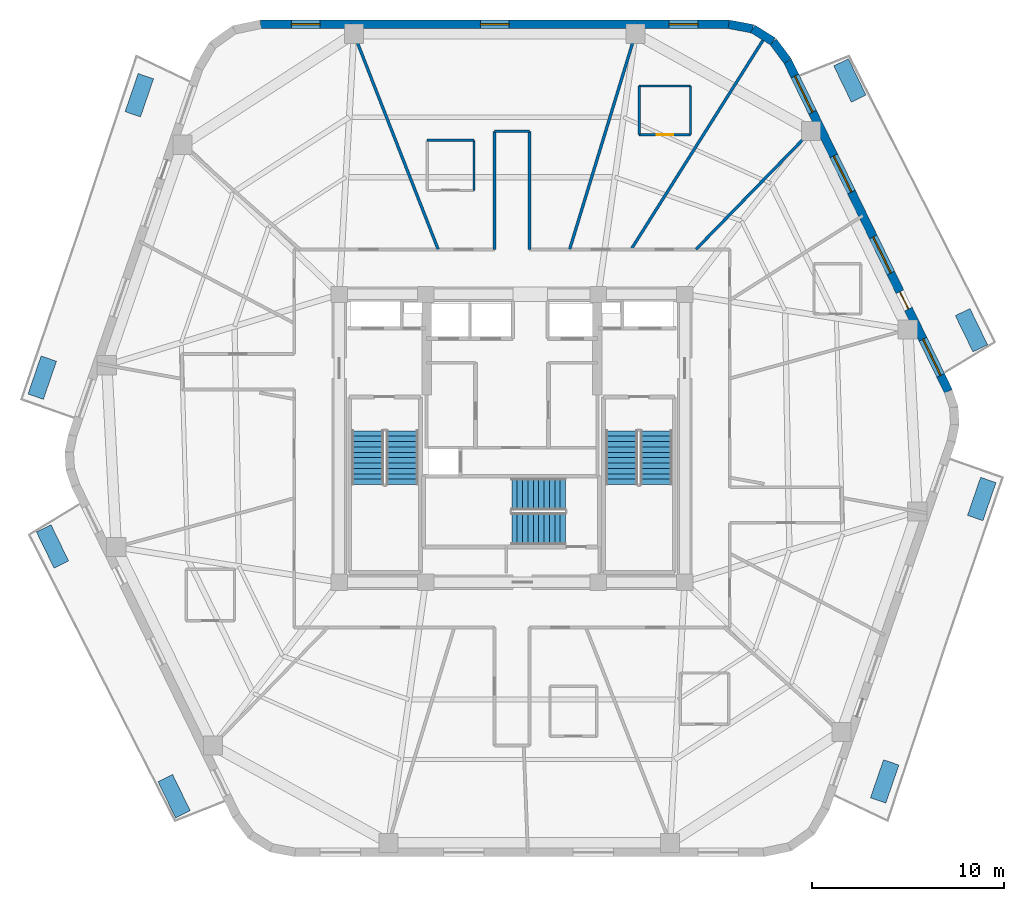
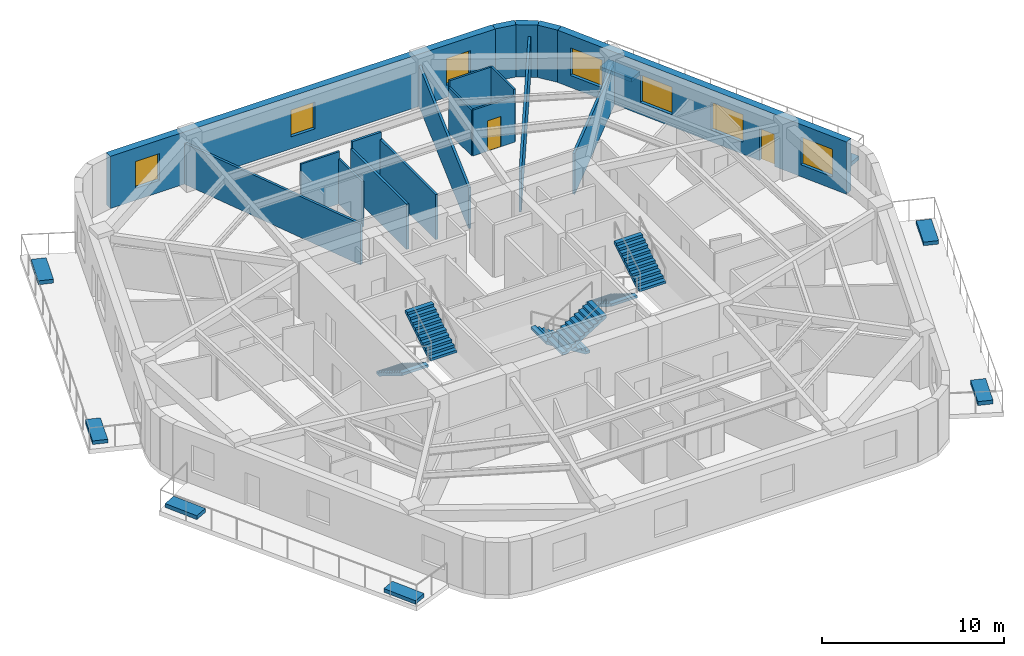
# One storey, part 6 of 9: 18 walls, 8 discrete accessories, 7 windows, 6 stair flights, 2 doors, 9 openings, 3 elements without a shape of their own.
"""IFC4 building model written with IfcOpenShell, lengths in metres."""

from ifc_helpers import new_model, si_unit, direction, frame, frame_2d, origin, origin_2d, place, context, subcontext, project, spatial, polyline, rectangle, outline, extrude, material, layer, layer_set, type_object, element, fill, aggregate, save


model = new_model("IFC4")

# Units and contexts
model_context = context("Model", 3, precision=1e-05, world=origin(), true_north=direction((0.0, 1.0)))
body_context = subcontext(model_context, "Body", "Model", "MODEL_VIEW")
ifc_project = project(units=[si_unit("LENGTHUNIT", "METRE"), si_unit("AREAUNIT", "SQUARE_METRE"), si_unit("VOLUMEUNIT", "CUBIC_METRE"), si_unit("PLANEANGLEUNIT", "RADIAN"), si_unit("MASSUNIT", "GRAM", prefix="KILO")], contexts=[model_context])

# Site, building, storey
site_placement = place(None, origin())
site = spatial("IfcSite", under=ifc_project, at=site_placement, CompositionType="ELEMENT")
building_placement = place(site_placement, origin())
building = spatial("IfcBuilding", under=site, at=building_placement, Name="Kilnhurst Terrace Hotel", CompositionType="ELEMENT")
storey_placement = place(building_placement, frame((0.0, 0.0, 240.699951171875)))
storey = spatial("IfcBuildingStorey", under=building, at=storey_placement, Name="L60", CompositionType="ELEMENT", Elevation=240.699951171875)

# Walls
ifc_material_1 = material(Name="Precast concrete C40/50", Category="concrete")
ifc_layer_1 = layer(ifc_material_1, 0.449951171875, Name="Precast concrete C40/50")
ifc_layer_set_1 = layer_set([ifc_layer_1], Name="Precast concrete C40/50")
wall_type_1 = type_object("IfcWallType", Name="WL-BRK-450", PredefinedType="SOLIDWALL", material=ifc_layer_set_1)
wall_1_placement = place(storey_placement, frame((14.3623046875, 19.658447265625, 0.0), z_axis=(0.0, 0.0, 1.0), x_axis=(-0.596642462792, 0.80250717853, 0.0)))
element("IfcWall", 1, at=wall_1_placement, inside=storey, type_object=wall_type_1, Name="L60 Rounded Corner Brick Wall C4.1", PredefinedType="SOLIDWALL", context=body_context, shape_type="SweptSolid", body=[
    extrude(rectangle(XDim=1.27001953125, YDim=0.449951171875, at=frame_2d((0.635009765625, 0.0))), origin(), (0.0, 0.0, 1.0), 3.5),
])
wall_2_placement = place(storey_placement, frame((13.6044921875, 20.677734375, 0.0), z_axis=(0.0, 0.0, 1.0), x_axis=(-0.847910404124, 0.53013955387, 0.0)))
element("IfcWall", 2, at=wall_2_placement, inside=storey, type_object=wall_type_1, Name="L60 Rounded Corner Brick Wall C4.2", PredefinedType="SOLIDWALL", context=body_context, shape_type="SweptSolid", body=[
    extrude(rectangle(XDim=1.24853515625, YDim=0.449951171875, at=frame_2d((0.624267578125, 0.0))), origin(), (0.0, 0.0, 1.0), 3.5),
])
wall_3_placement = place(storey_placement, frame((12.5458984375, 21.339599609375, 0.0), z_axis=(0.0, 0.0, 1.0), x_axis=(-0.982686750835, 0.18527479519, 0.0)))
element("IfcWall", 3, at=wall_3_placement, inside=storey, type_object=wall_type_1, Name="L60 Rounded Corner Brick Wall C4.3", PredefinedType="SOLIDWALL", context=body_context, shape_type="SweptSolid", body=[
    extrude(rectangle(XDim=1.270263671875, YDim=0.449951171875, at=frame_2d((0.63525390625, 0.0))), origin(), (0.0, 0.0, 1.0), 3.5),
])

# Wall, openings, door, windows
wall_4_placement = place(storey_placement, frame((22.73974609375, 2.4521484375, 0.0), z_axis=(0.0, 0.0, 1.0), x_axis=(-0.437753424814, 0.899095066755, 0.0)))
wall_4 = element("IfcWall", 4, at=wall_4_placement, inside=storey, type_object=wall_type_1, Name="L60 Exterior Brick Facade Wall F3", PredefinedType="SOLIDWALL", context=body_context, shape_type="SweptSolid", body=[
    extrude(rectangle(XDim=19.137451171875, YDim=0.449951171875, at=frame_2d((9.56884765625, 0.0))), origin(), (0.0, 0.0, 1.0), 3.5),
])
opening_1_placement = place(wall_4_placement, frame((4.762939453125, 0.0, 0.0)))
opening_1 = element("IfcOpeningElement", 5, at=opening_1_placement, cuts=wall_4, Name="Opening BD-1000", PredefinedType="OPENING", context=body_context, shape_type="SweptSolid", body=[
    extrude(rectangle(XDim=1.0, YDim=2.14990234375, at=frame_2d((0.5, 1.074951171875))), frame((0.0, 0.23486328125, 0.0), z_axis=(0.0, -1.0, 0.0), x_axis=(1.0, 0.0, 0.0)), (0.0, 0.0, 1.0), 0.469970703125),
])
opening_2_placement = place(wall_4_placement, frame((6.85107421875, 0.0, 0.800048828125)))
opening_2 = element("IfcOpeningElement", 6, at=opening_2_placement, cuts=wall_4, Name="Opening W-04", PredefinedType="OPENING", context=body_context, shape_type="SweptSolid", body=[
    extrude(rectangle(XDim=2.10009765625, YDim=1.85009765625, at=frame_2d((1.050048828125, 0.925048828125))), frame((0.0, 0.23486328125, 0.0), z_axis=(0.0, -1.0, 0.0), x_axis=(1.0, 0.0, 0.0)), (0.0, 0.0, 1.0), 0.469970703125),
])
opening_3_placement = place(wall_4_placement, frame((11.544921875, 0.0, 0.800048828125)))
opening_3 = element("IfcOpeningElement", 7, at=opening_3_placement, cuts=wall_4, Name="Opening W-04", PredefinedType="OPENING", context=body_context, shape_type="SweptSolid", body=[
    extrude(rectangle(XDim=2.10009765625, YDim=1.85009765625, at=frame_2d((1.050048828125, 0.925048828125))), frame((0.0, 0.23486328125, 0.0), z_axis=(0.0, -1.0, 0.0), x_axis=(1.0, 0.0, 0.0)), (0.0, 0.0, 1.0), 0.469970703125),
])
opening_4_placement = place(wall_4_placement, frame((16.173095703125, 0.0, 0.800048828125)))
opening_4 = element("IfcOpeningElement", 8, at=opening_4_placement, cuts=wall_4, Name="Opening W-04", PredefinedType="OPENING", context=body_context, shape_type="SweptSolid", body=[
    extrude(rectangle(XDim=2.10009765625, YDim=1.85009765625, at=frame_2d((1.050048828125, 0.925048828125))), frame((0.0, 0.23486328125, 0.0), z_axis=(0.0, -1.0, 0.0), x_axis=(1.0, 0.0, 0.0)), (0.0, 0.0, 1.0), 0.469970703125),
])
opening_5_placement = place(wall_4_placement, frame((0.916015625, 0.0, 0.800048828125)))
opening_5 = element("IfcOpeningElement", 9, at=opening_5_placement, cuts=wall_4, Name="Opening W-04", PredefinedType="OPENING", context=body_context, shape_type="SweptSolid", body=[
    extrude(rectangle(XDim=2.10009765625, YDim=1.85009765625, at=frame_2d((1.050048828125, 0.925048828125))), frame((0.0, 0.23486328125, 0.0), z_axis=(0.0, -1.0, 0.0), x_axis=(1.0, 0.0, 0.0)), (0.0, 0.0, 1.0), 0.469970703125),
])
ifc_material_2 = material(Name="Thermally Broken Bronze Aluminium Alloy 6063-T6 and Laminated Glass", Category="aluminium")
door_type_1 = type_object("IfcDoorType", Name="DR-EXT-BAL-1000", OperationType="NOTDEFINED", PredefinedType="DOOR", material=ifc_material_2)
door_1_placement = place(opening_1_placement, origin())
door_1 = element("IfcDoor", 10, at=door_1_placement, inside=storey, type_object=door_type_1, Name="L60 Planted Balcony Door BAL-L1B", OperationType="SINGLE_SWING_LEFT", OverallHeight=2.14990234375, OverallWidth=1.0, PredefinedType="DOOR", context=body_context, shape_type="SweptSolid", body=[
    extrude(rectangle(XDim=1.0, YDim=2.14990234375, at=frame_2d((0.5, 1.074951171875))), frame((0.0, 0.02490234375, 0.0), z_axis=(0.0, -1.0, 0.0), x_axis=(1.0, 0.0, 0.0)), (0.0, 0.0, 1.0), 0.050048828125),
])
fill(opening_1, door_1)
ifc_material_3 = material(Name="Thermally Broken Bronze Aluminium Alloy 6063-T6 and Low-E Glass", Category="aluminium")
window_type_1 = type_object("IfcWindowType", Name="WIN-2100X1850", PartitioningType="SINGLE_PANEL", PredefinedType="WINDOW", material=ifc_material_3)
window_1_placement = place(opening_2_placement, origin())
window_1 = element("IfcWindow", 11, at=window_1_placement, inside=storey, type_object=window_type_1, Name="L60 Deep-Set Masonry Window F3.1", OverallHeight=1.85009765625, OverallWidth=2.10009765625, PartitioningType="SINGLE_PANEL", PredefinedType="WINDOW", context=body_context, shape_type="SweptSolid", body=[
    extrude(rectangle(XDim=2.10009765625, YDim=1.85009765625, at=frame_2d((1.050048828125, 0.925048828125))), frame((0.0, 0.030029296875, 0.0), z_axis=(0.0, -1.0, 0.0), x_axis=(1.0, 0.0, 0.0)), (0.0, 0.0, 1.0), 0.06005859375),
])
fill(opening_2, window_1)
window_2_placement = place(opening_3_placement, origin())
window_2 = element("IfcWindow", 12, at=window_2_placement, inside=storey, type_object=window_type_1, Name="L60 Deep-Set Masonry Window F3.2", OverallHeight=1.85009765625, OverallWidth=2.10009765625, PartitioningType="SINGLE_PANEL", PredefinedType="WINDOW", context=body_context, shape_type="SweptSolid", body=[
    extrude(rectangle(XDim=2.10009765625, YDim=1.85009765625, at=frame_2d((1.050048828125, 0.925048828125))), frame((0.0, 0.030029296875, 0.0), z_axis=(0.0, -1.0, 0.0), x_axis=(1.0, 0.0, 0.0)), (0.0, 0.0, 1.0), 0.06005859375),
])
fill(opening_3, window_2)
window_3_placement = place(opening_4_placement, origin())
window_3 = element("IfcWindow", 13, at=window_3_placement, inside=storey, type_object=window_type_1, Name="L60 Deep-Set Masonry Window F3.3", OverallHeight=1.85009765625, OverallWidth=2.10009765625, PartitioningType="SINGLE_PANEL", PredefinedType="WINDOW", context=body_context, shape_type="SweptSolid", body=[
    extrude(rectangle(XDim=2.10009765625, YDim=1.85009765625, at=frame_2d((1.050048828125, 0.925048828125))), frame((0.0, 0.030029296875, 0.0), z_axis=(0.0, -1.0, 0.0), x_axis=(1.0, 0.0, 0.0)), (0.0, 0.0, 1.0), 0.06005859375),
])
fill(opening_4, window_3)
window_4_placement = place(opening_5_placement, origin())
window_4 = element("IfcWindow", 14, at=window_4_placement, inside=storey, type_object=window_type_1, Name="L60 Deep-Set Masonry Window F3.4", OverallHeight=1.85009765625, OverallWidth=2.10009765625, PartitioningType="SINGLE_PANEL", PredefinedType="WINDOW", context=body_context, shape_type="SweptSolid", body=[
    extrude(rectangle(XDim=2.10009765625, YDim=1.85009765625, at=frame_2d((1.050048828125, 0.925048828125))), frame((0.0, 0.030029296875, 0.0), z_axis=(0.0, -1.0, 0.0), x_axis=(1.0, 0.0, 0.0)), (0.0, 0.0, 1.0), 0.06005859375),
])
fill(opening_5, window_4)

# Wall, openings, windows
wall_5_placement = place(storey_placement, frame((11.297607421875, 21.574951171875, 0.0), z_axis=(0.0, 0.0, 1.0), x_axis=(-1.0, 0.0, 0.0)))
wall_5 = element("IfcWall", 15, at=wall_5_placement, inside=storey, type_object=wall_type_1, Name="L60 Exterior Brick Facade Wall F4", PredefinedType="SOLIDWALL", context=body_context, shape_type="SweptSolid", body=[
    extrude(rectangle(XDim=24.399169921875, YDim=0.449951171875, at=frame_2d((12.19970703125, 0.0))), origin(), (0.0, 0.0, 1.0), 3.5),
])
opening_6_placement = place(wall_5_placement, frame((1.60400390625, 0.0, 0.800048828125)))
opening_6 = element("IfcOpeningElement", 16, at=opening_6_placement, cuts=wall_5, Name="Opening W-02", PredefinedType="OPENING", context=body_context, shape_type="SweptSolid", body=[
    extrude(rectangle(XDim=1.5, YDim=1.800048828125, at=frame_2d((0.75, 0.89990234375))), frame((0.0, 0.23486328125, 0.0), z_axis=(0.0, -1.0, 0.0), x_axis=(1.0, 0.0, 0.0)), (0.0, 0.0, 1.0), 0.469970703125),
])
opening_7_placement = place(wall_5_placement, frame((11.450927734375, 0.0, 0.800048828125)))
opening_7 = element("IfcOpeningElement", 17, at=opening_7_placement, cuts=wall_5, Name="Opening W-02", PredefinedType="OPENING", context=body_context, shape_type="SweptSolid", body=[
    extrude(rectangle(XDim=1.5, YDim=1.800048828125, at=frame_2d((0.75, 0.89990234375))), frame((0.0, 0.23486328125, 0.0), z_axis=(0.0, -1.0, 0.0), x_axis=(1.0, 0.0, 0.0)), (0.0, 0.0, 1.0), 0.469970703125),
])
opening_8_placement = place(wall_5_placement, frame((21.2958984375, 0.0, 0.800048828125)))
opening_8 = element("IfcOpeningElement", 18, at=opening_8_placement, cuts=wall_5, Name="Opening W-02", PredefinedType="OPENING", context=body_context, shape_type="SweptSolid", body=[
    extrude(rectangle(XDim=1.5, YDim=1.800048828125, at=frame_2d((0.75, 0.89990234375))), frame((0.0, 0.23486328125, 0.0), z_axis=(0.0, -1.0, 0.0), x_axis=(1.0, 0.0, 0.0)), (0.0, 0.0, 1.0), 0.469970703125),
])
window_type_2 = type_object("IfcWindowType", Name="WIN-1500X1800", PartitioningType="SINGLE_PANEL", PredefinedType="WINDOW", material=ifc_material_3)
window_5_placement = place(opening_6_placement, origin())
window_5 = element("IfcWindow", 19, at=window_5_placement, inside=storey, type_object=window_type_2, Name="L60 Deep-Set Masonry Window F4.1", OverallHeight=1.800048828125, OverallWidth=1.5, PartitioningType="SINGLE_PANEL", PredefinedType="WINDOW", context=body_context, shape_type="SweptSolid", body=[
    extrude(rectangle(XDim=1.5, YDim=1.800048828125, at=frame_2d((0.75, 0.89990234375))), frame((0.0, 0.030029296875, 0.0), z_axis=(0.0, -1.0, 0.0), x_axis=(1.0, 0.0, 0.0)), (0.0, 0.0, 1.0), 0.06005859375),
])
fill(opening_6, window_5)
window_6_placement = place(opening_7_placement, origin())
window_6 = element("IfcWindow", 20, at=window_6_placement, inside=storey, type_object=window_type_2, Name="L60 Deep-Set Masonry Window F4.2", OverallHeight=1.800048828125, OverallWidth=1.5, PartitioningType="SINGLE_PANEL", PredefinedType="WINDOW", context=body_context, shape_type="SweptSolid", body=[
    extrude(rectangle(XDim=1.5, YDim=1.800048828125, at=frame_2d((0.75, 0.89990234375))), frame((0.0, 0.030029296875, 0.0), z_axis=(0.0, -1.0, 0.0), x_axis=(1.0, 0.0, 0.0)), (0.0, 0.0, 1.0), 0.06005859375),
])
fill(opening_7, window_6)
window_7_placement = place(opening_8_placement, origin())
window_7 = element("IfcWindow", 21, at=window_7_placement, inside=storey, type_object=window_type_2, Name="L60 Deep-Set Masonry Window F4.3", OverallHeight=1.800048828125, OverallWidth=1.5, PartitioningType="SINGLE_PANEL", PredefinedType="WINDOW", context=body_context, shape_type="SweptSolid", body=[
    extrude(rectangle(XDim=1.5, YDim=1.800048828125, at=frame_2d((0.75, 0.89990234375))), frame((0.0, 0.030029296875, 0.0), z_axis=(0.0, -1.0, 0.0), x_axis=(1.0, 0.0, 0.0)), (0.0, 0.0, 1.0), 0.06005859375),
])
fill(opening_8, window_7)

# Walls
ifc_material_4 = material(Name="Acoustic Double-Gypsum Corridor Partition Assembly")
ifc_layer_2 = layer(ifc_material_4, 0.14990234375, Name="Acoustic Double-Gypsum Corridor Partition Assembly")
ifc_layer_set_2 = layer_set([ifc_layer_2], Name="Acoustic Double-Gypsum Corridor Partition Assembly")
wall_type_2 = type_object("IfcWallType", Name="WL-COR-150", PredefinedType="PARTITIONING", material=ifc_layer_set_2)
wall_6_placement = place(storey_placement, frame((-0.919921875, 9.85009765625, 0.0), z_axis=(0.0, 0.0, 1.0), x_axis=(0.0, 1.0, 0.0)))
element("IfcWall", 22, at=wall_6_placement, inside=storey, type_object=wall_type_2, Name="L60 Interior Wall WL-L60-COR-07", PredefinedType="PARTITIONING", context=body_context, shape_type="SweptSolid", body=[
    extrude(rectangle(XDim=6.14990234375, YDim=0.14990234375, at=frame_2d((3.074951171875, 0.0))), origin(), (0.0, 0.0, 1.0), 3.026611328125),
])
wall_7_placement = place(storey_placement, frame((-0.919921875, 16.0, 0.0), z_axis=(0.0, 0.0, 1.0), x_axis=(1.0, 0.0, 0.0)))
element("IfcWall", 23, at=wall_7_placement, inside=storey, type_object=wall_type_2, Name="L60 Interior Wall WL-L60-COR-08", PredefinedType="PARTITIONING", context=body_context, shape_type="SweptSolid", body=[
    extrude(rectangle(XDim=1.83984375, YDim=0.14990234375, at=frame_2d((0.919921875, 0.0))), origin(), (0.0, 0.0, 1.0), 3.5),
])
wall_8_placement = place(storey_placement, frame((0.919921875, 16.0, 0.0), z_axis=(0.0, 0.0, 1.0), x_axis=(0.0, -1.0, 0.0)))
element("IfcWall", 24, at=wall_8_placement, inside=storey, type_object=wall_type_2, Name="L60 Interior Wall WL-L60-COR-09", PredefinedType="PARTITIONING", context=body_context, shape_type="SweptSolid", body=[
    extrude(rectangle(XDim=6.14990234375, YDim=0.14990234375, at=frame_2d((3.074951171875, 0.0))), origin(), (0.0, 0.0, 1.0), 3.026611328125),
])
ifc_material_5 = material(Name="STC-58 Acoustic Twin-Frame Guestroom Demising Partition")
ifc_layer_3 = layer(ifc_material_5, 0.14990234375, Name="STC-58 Acoustic Twin-Frame Guestroom Demising Partition")
ifc_layer_set_3 = layer_set([ifc_layer_3], Name="STC-58 Acoustic Twin-Frame Guestroom Demising Partition")
wall_type_3 = type_object("IfcWallType", Name="WL-DEM-150", PredefinedType="PARTITIONING", material=ifc_layer_set_3)
wall_9_placement = place(storey_placement, frame((9.587890625, 9.85009765625, 0.0), z_axis=(0.0, 0.0, 1.0), x_axis=(0.697519469595, 0.716565830567, 0.0)))
element("IfcWall", 25, at=wall_9_placement, inside=storey, type_object=wall_type_3, Name="L60 Interior Wall WL-L60-DEM-COL02-03-1", PredefinedType="PARTITIONING", context=body_context, shape_type="SweptSolid", body=[
    extrude(rectangle(XDim=9.12646484375, YDim=0.14990234375, at=frame_2d((4.563232421875, 0.0))), origin(), (0.0, 0.0, 1.0), 2.739990234375),
])
wall_10_placement = place(storey_placement, frame((6.21044921875, 9.85009765625, 0.0), z_axis=(0.0, 0.0, 1.0), x_axis=(0.533335553786, 0.84590376939, 0.0)))
element("IfcWall", 26, at=wall_10_placement, inside=storey, type_object=wall_type_3, Name="L60 Interior Wall WL-L60-DEM-MID02-04-1", PredefinedType="PARTITIONING", context=body_context, shape_type="SweptSolid", body=[
    extrude(rectangle(XDim=12.94091796875, YDim=0.14990234375, at=frame_2d((6.470458984375, 0.0))), origin(), (0.0, 0.0, 1.0), 2.739990234375),
])
wall_11_placement = place(storey_placement, frame((3.00439453125, 9.85009765625, 0.0), z_axis=(0.0, 0.0, 1.0), x_axis=(0.291775760688, 0.956486751333, 0.0)))
element("IfcWall", 27, at=wall_11_placement, inside=storey, type_object=wall_type_3, Name="L60 Interior Wall WL-L60-DEM-COL03-05-1", PredefinedType="PARTITIONING", context=body_context, shape_type="SweptSolid", body=[
    extrude(rectangle(XDim=12.25830078125, YDim=0.14990234375, at=frame_2d((6.129150390625, 0.0))), origin(), (0.0, 0.0, 1.0), 2.739990234375),
])
wall_12_placement = place(storey_placement, frame((-3.848388671875, 9.85009765625, 0.0), z_axis=(0.0, 0.0, 1.0), x_axis=(-0.363921778212, 0.931429513889, 0.0)))
element("IfcWall", 28, at=wall_12_placement, inside=storey, type_object=wall_type_3, Name="L60 Interior Wall WL-L60-DEM-COL04-06-1", PredefinedType="PARTITIONING", context=body_context, shape_type="SweptSolid", body=[
    extrude(rectangle(XDim=12.588134765625, YDim=0.14990234375, at=frame_2d((6.2939453125, 0.0))), origin(), (0.0, 0.0, 1.0), 2.739990234375),
])

# Wall, opening, door
ifc_material_6 = material(Name="120 mm Moisture-Resistant Tile-Backed Bathroom Partition")
ifc_layer_4 = layer(ifc_material_6, 0.1201171875, Name="120 mm Moisture-Resistant Tile-Backed Bathroom Partition")
ifc_layer_set_4 = layer_set([ifc_layer_4], Name="120 mm Moisture-Resistant Tile-Backed Bathroom Partition")
wall_type_4 = type_object("IfcWallType", Name="WL-PART-120", PredefinedType="PARTITIONING", material=ifc_layer_set_4)
wall_13_placement = place(storey_placement, frame((6.626953125, 15.824951171875, 0.0), z_axis=(0.0, 0.0, 1.0), x_axis=(1.0, 0.0, 0.0)))
wall_13 = element("IfcWall", 29, at=wall_13_placement, inside=storey, type_object=wall_type_4, Name="L60 Interior Wall WL-L60-BTH-04-1", PredefinedType="PARTITIONING", context=body_context, shape_type="SweptSolid", body=[
    extrude(rectangle(XDim=2.679931640625, YDim=0.1201171875, at=frame_2d((1.33984375, 0.0))), origin(), (0.0, 0.0, 1.0), 3.072509765625),
])
opening_9_placement = place(wall_13_placement, frame((0.9150390625, 0.0, 0.0)))
opening_9 = element("IfcOpeningElement", 30, at=opening_9_placement, cuts=wall_13, Name="Opening D-08A", PredefinedType="OPENING", context=body_context, shape_type="SweptSolid", body=[
    extrude(rectangle(XDim=0.85009765625, YDim=2.030029296875, at=frame_2d((0.425048828125, 1.01513671875))), frame((0.0, 0.070068359375, 0.0), z_axis=(0.0, -1.0, 0.0), x_axis=(1.0, 0.0, 0.0)), (0.0, 0.0, 1.0), 0.14013671875),
])
ifc_material_7 = material(Name="Moisture-Resistant Lacquered En-suite Bathroom Door")
door_type_2 = type_object("IfcDoorType", Name="DR-INT-850", OperationType="NOTDEFINED", PredefinedType="DOOR", material=ifc_material_7)
door_2_placement = place(opening_9_placement, origin())
door_2 = element("IfcDoor", 31, at=door_2_placement, inside=storey, type_object=door_type_2, Name="L60 En-suite Bathroom Door 4", OperationType="SINGLE_SWING_LEFT", OverallHeight=2.030029296875, OverallWidth=0.85009765625, PredefinedType="DOOR", context=body_context, shape_type="SweptSolid", body=[
    extrude(rectangle(XDim=0.85009765625, YDim=2.030029296875, at=frame_2d((0.425048828125, 1.01513671875))), frame((0.0, 0.02490234375, 0.0), z_axis=(0.0, -1.0, 0.0), x_axis=(1.0, 0.0, 0.0)), (0.0, 0.0, 1.0), 0.050048828125),
])
fill(opening_9, door_2)

# Walls
wall_14_placement = place(storey_placement, frame((9.306884765625, 15.824951171875, 0.0), z_axis=(0.0, 0.0, 1.0), x_axis=(0.0, 1.0, 0.0)))
element("IfcWall", 32, at=wall_14_placement, inside=storey, type_object=wall_type_4, Name="L60 Interior Wall WL-L60-BTH-04-2", PredefinedType="PARTITIONING", context=body_context, shape_type="SweptSolid", body=[
    extrude(rectangle(XDim=2.5400390625, YDim=0.1201171875, at=frame_2d((1.27001953125, 0.0))), origin(), (0.0, 0.0, 1.0), 3.5),
])
wall_15_placement = place(storey_placement, frame((9.306884765625, 18.364990234375, 0.0), z_axis=(0.0, 0.0, 1.0), x_axis=(-1.0, 0.0, 0.0)))
element("IfcWall", 33, at=wall_15_placement, inside=storey, type_object=wall_type_4, Name="L60 Interior Wall WL-L60-BTH-04-3", PredefinedType="PARTITIONING", context=body_context, shape_type="SweptSolid", body=[
    extrude(rectangle(XDim=2.679931640625, YDim=0.1201171875, at=frame_2d((1.33984375, 0.0))), origin(), (0.0, 0.0, 1.0), 3.5),
])
wall_16_placement = place(storey_placement, frame((6.626953125, 18.364990234375, 0.0), z_axis=(0.0, 0.0, 1.0), x_axis=(0.0, -1.0, 0.0)))
element("IfcWall", 34, at=wall_16_placement, inside=storey, type_object=wall_type_4, Name="L60 Interior Wall WL-L60-BTH-04-4", PredefinedType="PARTITIONING", context=body_context, shape_type="SweptSolid", body=[
    extrude(rectangle(XDim=2.5400390625, YDim=0.1201171875, at=frame_2d((1.27001953125, 0.0))), origin(), (0.0, 0.0, 1.0), 3.072509765625),
])
wall_17_placement = place(storey_placement, frame((-1.97802734375, 12.919921875, 0.0), z_axis=(0.0, 0.0, 1.0), x_axis=(0.0, 1.0, 0.0)))
element("IfcWall", 35, at=wall_17_placement, inside=storey, type_object=wall_type_4, Name="L60 Interior Wall WL-L60-BTH-05-2", PredefinedType="PARTITIONING", context=body_context, shape_type="SweptSolid", body=[
    extrude(rectangle(XDim=2.610107421875, YDim=0.1201171875, at=frame_2d((1.30517578125, 0.0))), origin(), (0.0, 0.0, 1.0), 3.026611328125),
])
wall_18_placement = place(storey_placement, frame((-1.97802734375, 15.530029296875, 0.0), z_axis=(0.0, 0.0, 1.0), x_axis=(-1.0, 0.0, 0.0)))
element("IfcWall", 36, at=wall_18_placement, inside=storey, type_object=wall_type_4, Name="L60 Interior Wall WL-L60-BTH-05-3", PredefinedType="PARTITIONING", context=body_context, shape_type="SweptSolid", body=[
    extrude(rectangle(XDim=2.43994140625, YDim=0.1201171875, at=frame_2d((1.219970703125, 0.0))), origin(), (0.0, 0.0, 1.0), 3.5),
])

# Stair, stair flights
ifc_material_8 = material(Name="Concrete C50/60", Category="concrete")
stair_type = type_object("IfcStairType", Name="STR-CORE-1660", PredefinedType="HALF_TURN_STAIR", material=ifc_material_8)
stair_1_placement = place(storey_placement, origin())
stair_1 = element("IfcStair", 37, at=stair_1_placement, inside=storey, type_object=stair_type, Name="L60 ST-1", PredefinedType="HALF_TURN_STAIR")
stair_flight_type = type_object("IfcStairFlightType", Name="FLT-RC-1660", PredefinedType="STRAIGHT", material=ifc_material_8)
stair_flight_1_placement = place(storey_placement, frame((-7.52001953125, 0.389892578125, 0.0), z_axis=(0.0, 0.0, 1.0), x_axis=(0.0, -1.0, 0.0)))
stair_flight_1 = element("IfcStairFlight", 38, at=stair_flight_1_placement, type_object=stair_flight_type, Name="ST-1 flight 1", NumberOfRisers=11, NumberOfTreads=10, PredefinedType="STRAIGHT", RiserHeight=0.172727273, TreadLength=0.28, context=body_context, shape_type="SweptSolid", body=[
    extrude(outline(polyline([(0.0, 0.0), (0.0, 0.172607421875), (0.280029296875, 0.172607421875), (0.280029296875, 0.345458984375), (0.56005859375, 0.345458984375), (0.56005859375, 0.51806640625), (0.840087890625, 0.51806640625), (0.840087890625, 0.69091796875), (1.1201171875, 0.69091796875), (1.1201171875, 0.863525390625), (1.39990234375, 0.863525390625), (1.39990234375, 1.036376953125), (1.679931640625, 1.036376953125), (1.679931640625, 1.208984375), (1.9599609375, 1.208984375), (1.9599609375, 1.3818359375), (2.239990234375, 1.3818359375), (2.239990234375, 1.554443359375), (2.52001953125, 1.554443359375), (2.52001953125, 1.727294921875), (2.800048828125, 1.727294921875), (2.800048828125, 1.89990234375), (2.800048828125, 1.551025390625), (0.285400390625, 0.0), (0.0, 0.0)])), frame((0.0, 0.830078125, 0.0), z_axis=(0.0, -1.0, 0.0), x_axis=(1.0, 0.0, 0.0)), (0.0, 0.0, 1.0), 1.659912109375),
])
stair_flight_2_placement = place(storey_placement, frame((-5.7099609375, -2.409912109375, 1.900146484375), z_axis=(0.0, 0.0, 1.0), x_axis=(0.0, 1.0, 0.0)))
stair_flight_2 = element("IfcStairFlight", 39, at=stair_flight_2_placement, type_object=stair_flight_type, Name="ST-1 flight 2", NumberOfRisers=11, NumberOfTreads=10, PredefinedType="STRAIGHT", RiserHeight=0.172727273, TreadLength=0.28, context=body_context, shape_type="SweptSolid", body=[
    extrude(outline(polyline([(0.0, 0.0), (0.0, 0.172607421875), (0.280029296875, 0.172607421875), (0.280029296875, 0.345458984375), (0.56005859375, 0.345458984375), (0.56005859375, 0.51806640625), (0.840087890625, 0.51806640625), (0.840087890625, 0.69091796875), (1.1201171875, 0.69091796875), (1.1201171875, 0.863525390625), (1.39990234375, 0.863525390625), (1.39990234375, 1.036376953125), (1.679931640625, 1.036376953125), (1.679931640625, 1.208984375), (1.9599609375, 1.208984375), (1.9599609375, 1.3818359375), (2.239990234375, 1.3818359375), (2.239990234375, 1.554443359375), (2.52001953125, 1.554443359375), (2.52001953125, 1.727294921875), (2.800048828125, 1.727294921875), (2.800048828125, 1.89990234375), (2.800048828125, 1.551025390625), (0.285400390625, 0.0), (0.0, 0.0)])), frame((0.0, 0.830078125, 0.0), z_axis=(0.0, -1.0, 0.0), x_axis=(1.0, 0.0, 0.0)), (0.0, 0.0, 1.0), 1.659912109375),
])
aggregate(stair_1, [stair_flight_1, stair_flight_2])

stair_2_placement = place(storey_placement, origin())
stair_2 = element("IfcStair", 40, at=stair_2_placement, inside=storey, type_object=stair_type, Name="L60 ST-2", PredefinedType="HALF_TURN_STAIR")
stair_flight_3_placement = place(storey_placement, frame((5.7099609375, 0.389892578125, 0.0), z_axis=(0.0, 0.0, 1.0), x_axis=(0.0, -1.0, 0.0)))
stair_flight_3 = element("IfcStairFlight", 41, at=stair_flight_3_placement, type_object=stair_flight_type, Name="ST-2 flight 1", NumberOfRisers=11, NumberOfTreads=10, PredefinedType="STRAIGHT", RiserHeight=0.172727273, TreadLength=0.28, context=body_context, shape_type="SweptSolid", body=[
    extrude(outline(polyline([(0.0, 0.0), (0.0, 0.172607421875), (0.280029296875, 0.172607421875), (0.280029296875, 0.345458984375), (0.56005859375, 0.345458984375), (0.56005859375, 0.51806640625), (0.840087890625, 0.51806640625), (0.840087890625, 0.69091796875), (1.1201171875, 0.69091796875), (1.1201171875, 0.863525390625), (1.39990234375, 0.863525390625), (1.39990234375, 1.036376953125), (1.679931640625, 1.036376953125), (1.679931640625, 1.208984375), (1.9599609375, 1.208984375), (1.9599609375, 1.3818359375), (2.239990234375, 1.3818359375), (2.239990234375, 1.554443359375), (2.52001953125, 1.554443359375), (2.52001953125, 1.727294921875), (2.800048828125, 1.727294921875), (2.800048828125, 1.89990234375), (2.800048828125, 1.551025390625), (0.285400390625, 0.0), (0.0, 0.0)])), frame((0.0, 0.830078125, 0.0), z_axis=(0.0, -1.0, 0.0), x_axis=(1.0, 0.0, 0.0)), (0.0, 0.0, 1.0), 1.659912109375),
])
stair_flight_4_placement = place(storey_placement, frame((7.52001953125, -2.409912109375, 1.900146484375), z_axis=(0.0, 0.0, 1.0), x_axis=(0.0, 1.0, 0.0)))
stair_flight_4 = element("IfcStairFlight", 42, at=stair_flight_4_placement, type_object=stair_flight_type, Name="ST-2 flight 2", NumberOfRisers=11, NumberOfTreads=10, PredefinedType="STRAIGHT", RiserHeight=0.172727273, TreadLength=0.28, context=body_context, shape_type="SweptSolid", body=[
    extrude(outline(polyline([(0.0, 0.0), (0.0, 0.172607421875), (0.280029296875, 0.172607421875), (0.280029296875, 0.345458984375), (0.56005859375, 0.345458984375), (0.56005859375, 0.51806640625), (0.840087890625, 0.51806640625), (0.840087890625, 0.69091796875), (1.1201171875, 0.69091796875), (1.1201171875, 0.863525390625), (1.39990234375, 0.863525390625), (1.39990234375, 1.036376953125), (1.679931640625, 1.036376953125), (1.679931640625, 1.208984375), (1.9599609375, 1.208984375), (1.9599609375, 1.3818359375), (2.239990234375, 1.3818359375), (2.239990234375, 1.554443359375), (2.52001953125, 1.554443359375), (2.52001953125, 1.727294921875), (2.800048828125, 1.727294921875), (2.800048828125, 1.89990234375), (2.800048828125, 1.551025390625), (0.285400390625, 0.0), (0.0, 0.0)])), frame((0.0, 0.830078125, 0.0), z_axis=(0.0, -1.0, 0.0), x_axis=(1.0, 0.0, 0.0)), (0.0, 0.0, 1.0), 1.659912109375),
])
aggregate(stair_2, [stair_flight_3, stair_flight_4])

stair_3_placement = place(storey_placement, origin())
stair_3 = element("IfcStair", 43, at=stair_3_placement, inside=storey, type_object=stair_type, Name="L60 ST-3", PredefinedType="HALF_TURN_STAIR")
stair_flight_5_placement = place(storey_placement, frame((2.7900390625, -2.909912109375, 0.0), z_axis=(0.0, 0.0, 1.0), x_axis=(-1.0, 0.0, 0.0)))
stair_flight_5 = element("IfcStairFlight", 44, at=stair_flight_5_placement, type_object=stair_flight_type, Name="ST-3 flight 1", NumberOfRisers=11, NumberOfTreads=10, PredefinedType="STRAIGHT", RiserHeight=0.172727273, TreadLength=0.28, context=body_context, shape_type="SweptSolid", body=[
    extrude(outline(polyline([(0.0, 0.0), (0.0, 0.172607421875), (0.280029296875, 0.172607421875), (0.280029296875, 0.345458984375), (0.56005859375, 0.345458984375), (0.56005859375, 0.51806640625), (0.840087890625, 0.51806640625), (0.840087890625, 0.69091796875), (1.1201171875, 0.69091796875), (1.1201171875, 0.863525390625), (1.39990234375, 0.863525390625), (1.39990234375, 1.036376953125), (1.679931640625, 1.036376953125), (1.679931640625, 1.208984375), (1.9599609375, 1.208984375), (1.9599609375, 1.3818359375), (2.239990234375, 1.3818359375), (2.239990234375, 1.554443359375), (2.52001953125, 1.554443359375), (2.52001953125, 1.727294921875), (2.800048828125, 1.727294921875), (2.800048828125, 1.89990234375), (2.800048828125, 1.551025390625), (0.285400390625, 0.0), (0.0, 0.0)])), frame((0.0, 0.830078125, 0.0), z_axis=(0.0, -1.0, 0.0), x_axis=(1.0, 0.0, 0.0)), (0.0, 0.0, 1.0), 1.659912109375),
])
stair_flight_6_placement = place(storey_placement, frame((-0.010009765625, -4.719970703125, 1.900146484375), z_axis=(0.0, 0.0, 1.0), x_axis=(1.0, 0.0, 0.0)))
stair_flight_6 = element("IfcStairFlight", 45, at=stair_flight_6_placement, type_object=stair_flight_type, Name="ST-3 flight 2", NumberOfRisers=11, NumberOfTreads=10, PredefinedType="STRAIGHT", RiserHeight=0.172727273, TreadLength=0.28, context=body_context, shape_type="SweptSolid", body=[
    extrude(outline(polyline([(0.0, 0.0), (0.0, 0.172607421875), (0.280029296875, 0.172607421875), (0.280029296875, 0.345458984375), (0.56005859375, 0.345458984375), (0.56005859375, 0.51806640625), (0.840087890625, 0.51806640625), (0.840087890625, 0.69091796875), (1.1201171875, 0.69091796875), (1.1201171875, 0.863525390625), (1.39990234375, 0.863525390625), (1.39990234375, 1.036376953125), (1.679931640625, 1.036376953125), (1.679931640625, 1.208984375), (1.9599609375, 1.208984375), (1.9599609375, 1.3818359375), (2.239990234375, 1.3818359375), (2.239990234375, 1.554443359375), (2.52001953125, 1.554443359375), (2.52001953125, 1.727294921875), (2.800048828125, 1.727294921875), (2.800048828125, 1.89990234375), (2.800048828125, 1.551025390625), (0.285400390625, 0.0), (0.0, 0.0)])), frame((0.0, 0.830078125, 0.0), z_axis=(0.0, -1.0, 0.0), x_axis=(1.0, 0.0, 0.0)), (0.0, 0.0, 1.0), 1.659912109375),
])
aggregate(stair_3, [stair_flight_5, stair_flight_6])

# Discrete accessories
ifc_material_9 = material(Name="Precast Concrete C40/50 Shrub Planter", Category="concrete")
discrete_accessory_type_1 = type_object("IfcDiscreteAccessoryType", Name="PLN-SHRUB-240", PredefinedType="USERDEFINED", material=ifc_material_9)
for number, where, z_axis, x_axis, name in (
    (46, (24.47998046875, -3.16259765625, 0.0), (0.0, 0.0, 1.0), (0.325089542819, 0.94568323933, 0.0), "L60 Structural Tree Planter Box PLANTER BAL-L1A.2"),
    (47, (17.607177734375, 18.64794921875, 0.0), (0.0, 0.0, 1.0), (-0.437743563395, 0.899099868038, 0.0), "L60 Structural Tree Planter Box PLANTER BAL-L1B.2"),
    (48, (-24.47998046875, 3.16259765625, 0.0), (0.0, 0.0, 1.0), (-0.325089542819, -0.94568323933, 0.0), "L60 Structural Tree Planter Box PLANTER BAL-L2A.2"),
    (49, (-17.607177734375, -18.64794921875, 0.0), (0.0, 0.0, 1.0), (0.437743563395, -0.899099868038, 0.0), "L60 Structural Tree Planter Box PLANTER BAL-L2B.2"),
):
    element("IfcDiscreteAccessory", number, at=place(storey_placement, frame(where, z_axis=z_axis, x_axis=x_axis)), inside=storey, type_object=discrete_accessory_type_1, Name=name, ObjectType="PLANTER", PredefinedType="USERDEFINED", context=body_context, shape_type="SweptSolid", body=[
        extrude(rectangle(XDim=2.10009765625, YDim=0.85009765625, at=origin_2d()), origin(), (0.0, 0.0, 1.0), 0.239990234375),
    ])
ifc_material_10 = material(Name="Precast Concrete C40/50 Tree Planter", Category="concrete")
discrete_accessory_type_2 = type_object("IfcDiscreteAccessoryType", Name="PLN-TREE-260", PredefinedType="USERDEFINED", material=ifc_material_10)
for number, where, z_axis, x_axis, name in (
    (50, (19.4208984375, -17.87939453125, 0.0), (0.0, 0.0, 1.0), (0.325089542819, 0.94568323933, 0.0), "L60 Structural Tree Planter Box PLANTER BAL-L1A.1"),
    (51, (23.942626953125, 5.635009765625, 0.0), (0.0, 0.0, 1.0), (-0.437743563395, 0.899099868038, 0.0), "L60 Structural Tree Planter Box PLANTER BAL-L1B.1"),
    (52, (-19.4208984375, 17.87939453125, 0.0), (0.0, 0.0, 1.0), (-0.325089542819, -0.94568323933, 0.0), "L60 Structural Tree Planter Box PLANTER BAL-L2A.1"),
    (53, (-23.942626953125, -5.635009765625, 0.0), (0.0, 0.0, 1.0), (0.437743563395, -0.899099868038, 0.0), "L60 Structural Tree Planter Box PLANTER BAL-L2B.1"),
):
    element("IfcDiscreteAccessory", number, at=place(storey_placement, frame(where, z_axis=z_axis, x_axis=x_axis)), inside=storey, type_object=discrete_accessory_type_2, Name=name, ObjectType="PLANTER", PredefinedType="USERDEFINED", context=body_context, shape_type="SweptSolid", body=[
        extrude(rectangle(XDim=2.10009765625, YDim=0.85009765625, at=origin_2d()), origin(), (0.0, 0.0, 1.0), 0.260009765625),
    ])

save(model, "model.ifc")
